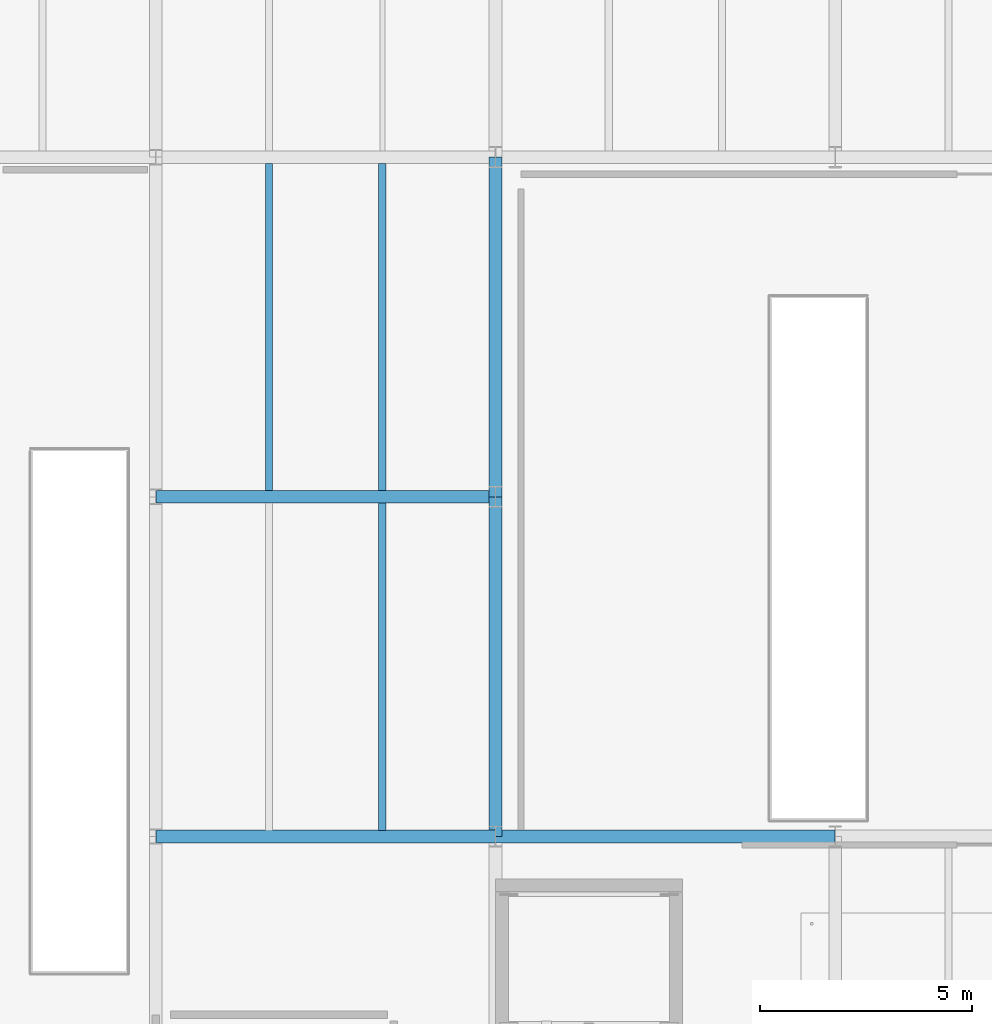
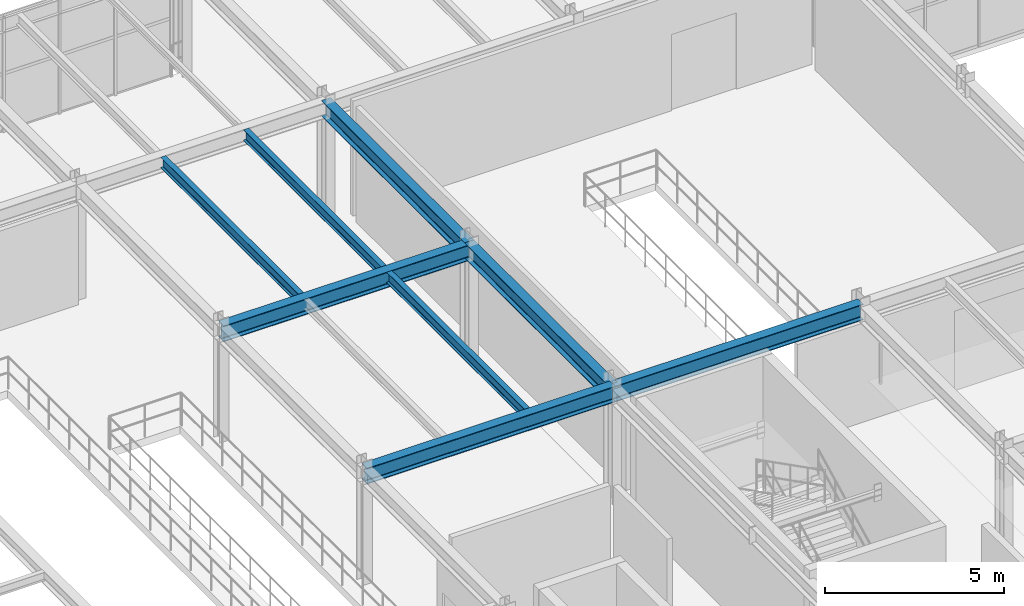
# One storey, part 31 of 122: 8 beams.
"""IFC4 building model written with IfcOpenShell, lengths in metres."""

import ifcopenshell
import ifcopenshell.guid

model = None  # the IFC model being written
_history = None  # IfcOwnerHistory: only IFC2X3 demands one
_inside = {}  # id of a spatial element -> (the spatial element, [elements in it])
_under = {}  # id of a project, library or spatial element -> (it, [spatial elements below it])
_declared = {}  # id of a project -> (the project, [libraries it declares])
_typed = {}  # id of a type object -> (the type object, [elements of that type])
_made_of = {}  # id of a material, layer set ... -> (it, [elements and type objects made of it])


def new_model(schema):
    """Start an empty IFC model of exactly this schema.

    Asked for "IFC4X3", IfcOpenShell would pick the latest addendum, in which some entities
    have other attributes; the version numbers below select the first issue.
    IFC2X3 requires an IfcOwnerHistory on every rooted entity: one is made here for all.
    """
    global model, _history
    if schema == "IFC4X3":
        model = ifcopenshell.file(schema_version=(4, 3, 0, 0))
    else:
        model = ifcopenshell.file(schema=schema)
    _inside.clear()
    _under.clear()
    _declared.clear()
    _typed.clear()
    _made_of.clear()
    _history = None
    if model.schema == "IFC2X3":
        org = make("IfcOrganization", Name="unknown")
        user = make(
            "IfcPersonAndOrganization",
            ThePerson=make("IfcPerson", FamilyName="unknown"),
            TheOrganization=org,
        )
        app = make(
            "IfcApplication",
            ApplicationDeveloper=org,
            Version="unknown",
            ApplicationFullName="unknown",
            ApplicationIdentifier="unknown",
        )
        _history = make(
            "IfcOwnerHistory",
            OwningUser=user,
            OwningApplication=app,
            ChangeAction="ADDED",
            CreationDate=0,
        )
    return model


def make(cls, **values):
    """One entity of the class cls with the attributes given. An attribute that is None is left unset."""
    return model.create_entity(
        cls, **{name: value for name, value in values.items() if value is not None}
    )


def rooted(cls, **values):
    """An entity with a GlobalId (a new one), such as an element, a storey or a relation."""
    return make(cls, GlobalId=ifcopenshell.guid.new(), OwnerHistory=_history, **values)


def si_unit(unit_type, name, prefix=None):
    """IfcSIUnit, for example si_unit("LENGTHUNIT", "METRE", prefix="MILLI")."""
    return make("IfcSIUnit", UnitType=unit_type, Prefix=prefix, Name=name)


def assignment(units):
    """IfcUnitAssignment: the units of a project."""
    return None if units is None else make("IfcUnitAssignment", Units=units)


def point(xyz):
    """IfcCartesianPoint."""
    return None if xyz is None else make("IfcCartesianPoint", Coordinates=xyz)


def direction(xyz):
    """IfcDirection."""
    return None if xyz is None else make("IfcDirection", DirectionRatios=xyz)


def frame(location, z_axis=None, x_axis=None):
    """IfcAxis2Placement3D, a coordinate frame: its origin and axes. An axis left out is left unset."""
    return make(
        "IfcAxis2Placement3D",
        Location=point(location),
        Axis=direction(z_axis),
        RefDirection=direction(x_axis),
    )


def frame_2d(location, x_axis=None):
    """IfcAxis2Placement2D, a coordinate frame in the plane: its origin and x axis."""
    return make(
        "IfcAxis2Placement2D", Location=point(location), RefDirection=direction(x_axis)
    )


def origin():
    """The frame at (0, 0, 0) with its axes left unset."""
    return frame((0.0, 0.0, 0.0))


def origin_2d():
    """The frame at (0, 0) in the plane with its x axis left unset."""
    return frame_2d((0.0, 0.0))


def place(relative_to, where):
    """IfcLocalPlacement: puts the frame where relative to a parent placement (None: the world)."""
    return make(
        "IfcLocalPlacement", PlacementRelTo=relative_to, RelativePlacement=where
    )


def context(
    kind, dimensions, precision=None, world=None, true_north=None, identifier=None
):
    """IfcGeometricRepresentationContext, for example the 3D "Model" context."""
    return make(
        "IfcGeometricRepresentationContext",
        ContextIdentifier=identifier,
        ContextType=kind,
        CoordinateSpaceDimension=dimensions,
        Precision=precision,
        WorldCoordinateSystem=world,
        TrueNorth=true_north,
    )


def subcontext(parent, identifier, kind, view, scale=None):
    """IfcGeometricRepresentationSubContext, for example "Body" below "Model"."""
    return make(
        "IfcGeometricRepresentationSubContext",
        ContextIdentifier=identifier,
        ContextType=kind,
        ParentContext=parent,
        TargetScale=scale,
        TargetView=view,
    )


def project(units=None, contexts=None):
    """IfcProject with its units and contexts."""
    return rooted(
        "IfcProject",
        Name="project",
        RepresentationContexts=contexts,
        UnitsInContext=assignment(units),
    )


def spatial(cls, under=None, at=None, **own):
    """A site, building, storey or space (cls), placed at a placement, below another one or the project."""
    s = rooted(cls, ObjectPlacement=at, **own)
    if under is not None:
        _under.setdefault(under.id(), (under, []))[1].append(s)
    return s


def profile(cls, at=None, kind="AREA", **sizes):
    """A parametric profile (cls). Its sizes go by their IFC names, for example OverallWidth=200.0."""
    return make(cls, ProfileType=kind, Position=at, **sizes)


def i_section(**sizes):
    """IfcIShapeProfileDef."""
    return profile("IfcIShapeProfileDef", **sizes)


def extrude(swept, where, along, depth):
    """IfcExtrudedAreaSolid: the profile swept, set in the frame where, extruded along a direction by depth."""
    return make(
        "IfcExtrudedAreaSolid",
        SweptArea=swept,
        Position=where,
        ExtrudedDirection=direction(along),
        Depth=depth,
    )


def shape(context_of_items, identifier, shape_type, items):
    """IfcShapeRepresentation: the items that make up one representation, for example the "Body"."""
    return make(
        "IfcShapeRepresentation",
        ContextOfItems=context_of_items,
        RepresentationIdentifier=identifier,
        RepresentationType=shape_type,
        Items=items,
    )


def material(Name=None, Category=None):
    """IfcMaterial."""
    return make("IfcMaterial", Name=Name, Category=Category)


def material_profile(
    of_material, cross_section, Name=None, Category=None, Priority=None
):
    """IfcMaterialProfile: a cross section and its material."""
    return make(
        "IfcMaterialProfile",
        Name=Name,
        Material=of_material,
        Profile=cross_section,
        Priority=Priority,
        Category=Category,
    )


def profile_set(profiles, Name=None, composite=None):
    """IfcMaterialProfileSet."""
    return make(
        "IfcMaterialProfileSet",
        Name=Name,
        MaterialProfiles=profiles,
        CompositeProfile=composite,
    )


def made_of(thing, what):
    """Note that an element or type object is made of a material, layer set ...; save() writes the relation."""
    if what is not None:
        _made_of.setdefault(what.id(), (what, []))[1].append(thing)
    return thing


def type_object(cls, material=None, **own):
    """A type object (cls), such as IfcWallType, which elements share."""
    return made_of(rooted(cls, **own), material)


def element(
    cls,
    number,
    at=None,
    inside=None,
    cuts=None,
    type_object=None,
    material=None,
    context=None,
    identifier="Body",
    shape_type=None,
    held_by="IfcProductDefinitionShape",
    body=None,
    shapes=None,
    **own,
):
    """One element of the class cls, such as IfcWall. Its Tag is "e" and its number.

    at: its placement. inside: the storey or other place that contains it. cuts: it is an
    opening in that element (IfcRelVoidsElement). A single representation is given by context,
    identifier, shape_type and body (its items); several are given by shapes. held_by: the class
    of the entity that holds the representations. save() writes the other relations.
    """
    e = rooted(cls, Tag="e%d" % number, ObjectPlacement=at, **own)
    if body is not None:
        shapes = [shape(context, identifier, shape_type, body)]
    if shapes is not None:
        e.Representation = make(held_by, Representations=shapes)
    if inside is not None:
        _inside.setdefault(inside.id(), (inside, []))[1].append(e)
    if cuts is not None:
        rooted(
            "IfcRelVoidsElement", RelatingBuildingElement=cuts, RelatedOpeningElement=e
        )
    if type_object is not None:
        _typed.setdefault(type_object.id(), (type_object, []))[1].append(e)
    return made_of(e, material)


def aggregate(whole, parts):
    """IfcRelAggregates: a whole, such as a stair, and the parts it consists of."""
    return rooted("IfcRelAggregates", RelatingObject=whole, RelatedObjects=parts)


def save(model, path):
    """Write the relations noted so far, then the file.

    IfcRelAggregates (storeys below a building ...), IfcRelContainedInSpatialStructure (elements
    in a storey), IfcRelDefinesByType, IfcRelAssociatesMaterial and IfcRelDeclares: one each for
    every whole, place, type object, material and project.
    """
    for whole, parts in _under.values():
        aggregate(whole, parts)
    for where, things in _inside.values():
        rooted(
            "IfcRelContainedInSpatialStructure",
            RelatedElements=things,
            RelatingStructure=where,
        )
    for kind, things in _typed.values():
        rooted("IfcRelDefinesByType", RelatedObjects=things, RelatingType=kind)
    for what, things in _made_of.values():
        rooted("IfcRelAssociatesMaterial", RelatedObjects=things, RelatingMaterial=what)
    for by, libraries in _declared.values():
        rooted("IfcRelDeclares", RelatingContext=by, RelatedDefinitions=libraries)
    model.write(path)


model = new_model("IFC4")

# Units and contexts
model_context = context("Model", 3, precision=1e-05, world=origin(), true_north=direction((0.0, 1.0)))
body_context = subcontext(model_context, "Body", "Model", "MODEL_VIEW")
ifc_project = project(units=[si_unit("LENGTHUNIT", "METRE"), si_unit("AREAUNIT", "SQUARE_METRE"), si_unit("VOLUMEUNIT", "CUBIC_METRE"), si_unit("PLANEANGLEUNIT", "RADIAN"), si_unit("MASSUNIT", "GRAM", prefix="KILO")], contexts=[model_context])

# Site, building, storey
site_placement = place(None, origin())
site = spatial("IfcSite", under=ifc_project, at=site_placement, CompositionType="ELEMENT")
building_placement = place(site_placement, origin())
building = spatial("IfcBuilding", under=site, at=building_placement, Name="Sundkrona Museum", CompositionType="ELEMENT")
storey_placement = place(building_placement, frame((0.0, 0.0, 5.39990234375)))
storey = spatial("IfcBuildingStorey", under=building, at=storey_placement, Name="L01", CompositionType="ELEMENT", Elevation=5.39990234375)

# Beams
ifc_material = material(Name="Steel S355J2", Category="steel")
ifc_material_profile_1 = material_profile(ifc_material, i_section(OverallWidth=0.300048828125, OverallDepth=0.5400390625, WebThickness=0.012451171875, FlangeThickness=0.02392578125, FilletRadius=0.027099609375, at=origin_2d()), Name="HEA 550")
ifc_profile_set_1 = profile_set([ifc_material_profile_1], Name="Steel S355J2")
beam_type_1 = type_object("IfcBeamType", Name="B-HEA550", PredefinedType="BEAM", material=ifc_profile_set_1)
for number, where, z_axis, x_axis, name in (
    (1, (112.0, 16.0, 3.650146484375), (1.0, 0.0, 0.0), (0.0, 1.0, 0.0), "L01 Girder X-0825"),
    (2, (120.0, 16.0, 3.650146484375), (1.0, 0.0, 0.0), (0.0, 1.0, 0.0), "L01 Girder X-0826"),
    (3, (112.0, 24.0, 3.650146484375), (1.0, 0.0, 0.0), (0.0, 1.0, 0.0), "L01 Girder X-0833"),
    (4, (120.0, 16.0, 3.650146484375), (0.0, 1.0, 0.0), (-1.0, 0.0, 0.0), "L01 Girder Y-1044"),
    (5, (120.0, 24.0, 3.650146484375), (0.0, 1.0, 0.0), (-1.0, 0.0, 0.0), "L01 Girder Y-1045"),
):
    element("IfcBeam", number, at=place(storey_placement, frame(where, z_axis=z_axis, x_axis=x_axis)), inside=storey, type_object=beam_type_1, Name=name, PredefinedType="BEAM", context=body_context, shape_type="SweptSolid", body=[
        extrude(i_section(OverallWidth=0.300048828125, OverallDepth=0.5400390625, WebThickness=0.012451171875, FlangeThickness=0.02392578125, FilletRadius=0.027099609375, at=origin_2d()), origin(), (0.0, 0.0, 1.0), 8.0),
    ])
ifc_material_profile_2 = material_profile(ifc_material, i_section(OverallWidth=0.169921875, OverallDepth=0.360107421875, WebThickness=0.008056640625, FlangeThickness=0.0126953125, FilletRadius=0.01806640625, at=origin_2d()), Name="IPE 360")
ifc_profile_set_2 = profile_set([ifc_material_profile_2], Name="Steel S355J2")
beam_type_2 = type_object("IfcBeamType", Name="J-IPE360", PredefinedType="JOIST", material=ifc_profile_set_2)
for number, where, z_axis, x_axis, name in (
    (6, (117.333251953125, 16.14404296875, 3.739990234375), (0.0, 1.0, 0.0), (-1.0, 0.0, 0.0), "L01 Composite Joist 0661"),
    (7, (114.666748046875, 24.14404296875, 3.739990234375), (0.0, 1.0, 0.0), (-1.0, 0.0, 0.0), "L01 Composite Joist 0662"),
    (8, (117.333251953125, 24.14404296875, 3.739990234375), (0.0, 1.0, 0.0), (-1.0, 0.0, 0.0), "L01 Composite Joist 0663"),
):
    element("IfcBeam", number, at=place(storey_placement, frame(where, z_axis=z_axis, x_axis=x_axis)), inside=storey, type_object=beam_type_2, Name=name, PredefinedType="JOIST", context=body_context, shape_type="SweptSolid", body=[
        extrude(i_section(OverallWidth=0.169921875, OverallDepth=0.360107421875, WebThickness=0.008056640625, FlangeThickness=0.0126953125, FilletRadius=0.01806640625, at=origin_2d()), origin(), (0.0, 0.0, 1.0), 7.7119140625),
    ])

save(model, "model.ifc")
